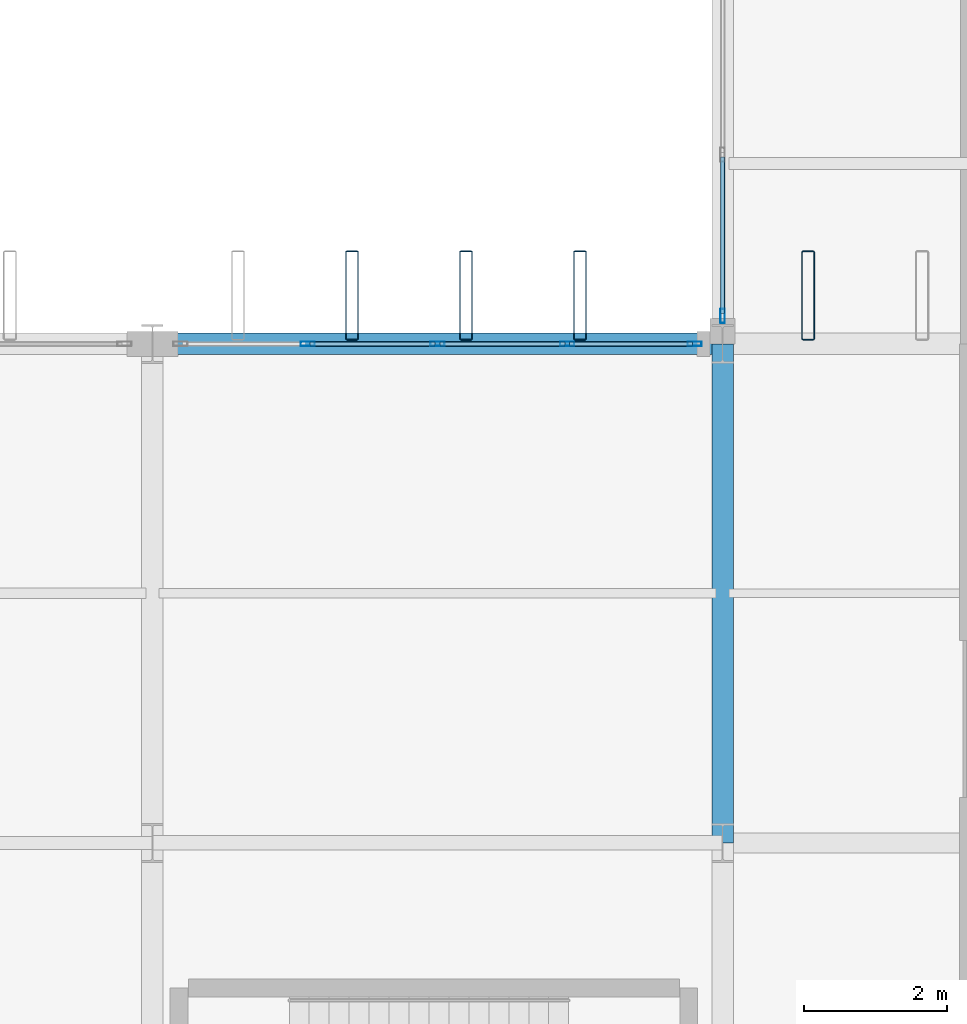
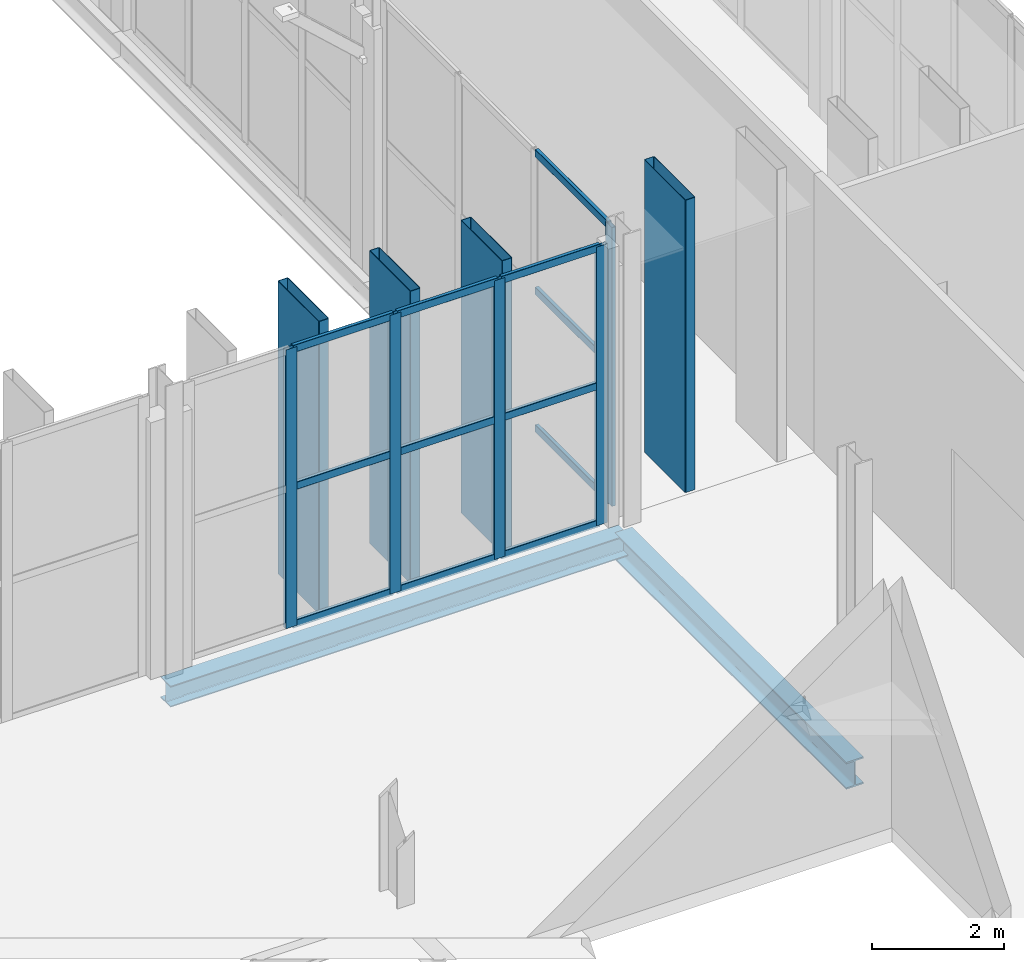
# One storey, part 54 of 147: 21 members, 2 beams, 2 elements without a shape of their own.
"""IFC4 building model written with IfcOpenShell, lengths in metres."""

from ifc_helpers import new_model, si_unit, direction, frame, origin, origin_2d, place, context, subcontext, project, spatial, hollow_rectangle, i_section, extrude, material, layer, layer_set, material_profile, profile_set, type_object, element, aggregate, save


model = new_model("IFC4")

# Units and contexts
model_context = context("Model", 3, precision=1e-05, world=origin(), true_north=direction((0.0, 1.0)))
body_context = subcontext(model_context, "Body", "Model", "MODEL_VIEW")
ifc_project = project(units=[si_unit("LENGTHUNIT", "METRE"), si_unit("AREAUNIT", "SQUARE_METRE"), si_unit("VOLUMEUNIT", "CUBIC_METRE"), si_unit("PLANEANGLEUNIT", "RADIAN"), si_unit("MASSUNIT", "GRAM", prefix="KILO")], contexts=[model_context])

# Site, building, storey
site_placement = place(None, origin())
site = spatial("IfcSite", under=ifc_project, at=site_placement, CompositionType="ELEMENT")
building_placement = place(site_placement, origin())
building = spatial("IfcBuilding", under=site, at=building_placement, Name="Vekula Escarpment Museum", CompositionType="ELEMENT")
storey_placement = place(building_placement, frame((0.0, 0.0, 7.800048828125)))
storey = spatial("IfcBuildingStorey", under=building, at=storey_placement, Name="L02", CompositionType="ELEMENT", Elevation=7.800048828125)

# Beams
ifc_material_1 = material(Name="Steel S355", Category="steel")
ifc_material_profile_1 = material_profile(ifc_material_1, i_section(OverallWidth=0.300048828125, OverallDepth=0.5, WebThickness=0.014404296875, FlangeThickness=0.028076171875, FilletRadius=0.027099609375, at=origin_2d()), Name="HEB 500")
ifc_profile_set_1 = profile_set([ifc_material_profile_1], Name="Steel S355")
beam_type_1 = type_object("IfcBeamType", Name="BM-GIRD-HEB500", PredefinedType="BEAM", material=ifc_profile_set_1)
beam_1_placement = place(storey_placement, frame((94.0, 83.39990234375, -0.510009765625), z_axis=(0.0, 1.0, 0.0), x_axis=(-1.0, 0.0, 0.0)))
element("IfcBeam", 1, at=beam_1_placement, inside=storey, type_object=beam_type_1, Name="Beam Y L02 1161", PredefinedType="BEAM", context=body_context, shape_type="SweptSolid", body=[
    extrude(i_section(OverallWidth=0.300048828125, OverallDepth=0.5, WebThickness=0.014404296875, FlangeThickness=0.028076171875, FilletRadius=0.027099609375, at=origin_2d()), origin(), (0.0, 0.0, 1.0), 7.0),
])
ifc_material_2 = material(Name="Steel S355", Category="steel")
ifc_material_profile_2 = material_profile(ifc_material_2, i_section(OverallWidth=0.300048828125, OverallDepth=0.389892578125, WebThickness=0.010986328125, FlangeThickness=0.01904296875, FilletRadius=0.027099609375, at=origin_2d()), Name="HEA 400")
ifc_profile_set_2 = profile_set([ifc_material_profile_2], Name="Steel S355")
beam_type_2 = type_object("IfcBeamType", Name="BM-SPAN-HEA400", PredefinedType="SPANDREL", material=ifc_profile_set_2)
beam_2_placement = place(storey_placement, frame((86.0, 90.39990234375, -0.455078125), z_axis=(1.0, 0.0, 0.0), x_axis=(0.0, 1.0, 0.0)))
element("IfcBeam", 2, at=beam_2_placement, inside=storey, type_object=beam_type_2, Name="Beam X L02 0952", PredefinedType="SPANDREL", context=body_context, shape_type="SweptSolid", body=[
    extrude(i_section(OverallWidth=0.300048828125, OverallDepth=0.389892578125, WebThickness=0.010986328125, FlangeThickness=0.01904296875, FilletRadius=0.027099609375, at=origin_2d()), origin(), (0.0, 0.0, 1.0), 8.0),
])

# Curtain wall, member
ifc_material_3 = material(Name="Aluminium thermally broken framing", Category="aluminium")
ifc_layer_1 = layer(ifc_material_3, 0.169921875)
ifc_layer_set_1 = layer_set([ifc_layer_1], Name="Aluminium thermally broken framing")
curtain_wall_type_1 = type_object("IfcCurtainWallType", Name="CW-SYS-10", PredefinedType="NOTDEFINED", material=ifc_layer_set_1)
curtain_wall_1_placement = place(storey_placement, origin())
curtain_wall_1 = element("IfcCurtainWall", 3, at=curtain_wall_1_placement, inside=storey, type_object=curtain_wall_type_1, Name="Curtain Wall CW-L02-090", PredefinedType="NOTDEFINED")
ifc_material_4 = material(Name="Aluminium anodized mullion", Category="aluminium")
ifc_material_profile_3 = material_profile(ifc_material_4, hollow_rectangle(XDim=0.06494140625, YDim=0.199951171875, WallThickness=0.00390625, InnerFilletRadius=0.00390625, OuterFilletRadius=0.008056640625, at=origin_2d()), Name="ALU 200x65x4")
ifc_profile_set_3 = profile_set([ifc_material_profile_3], Name="Aluminium anodized mullion")
member_type_1 = type_object("IfcMemberType", Name="CW-MUL-200", PredefinedType="MULLION", material=ifc_profile_set_3)
member_1_placement = place(storey_placement, frame((94.0, 90.79248046875, 0.0), z_axis=(0.0, 0.0, 1.0), x_axis=(1.0, 0.0, 0.0)))
member_1 = element("IfcMember", 4, at=member_1_placement, type_object=member_type_1, Name="CW-10 mullion 4", PredefinedType="MULLION", context=body_context, shape_type="SweptSolid", body=[
    extrude(hollow_rectangle(XDim=0.06494140625, YDim=0.199951171875, WallThickness=0.00390625, InnerFilletRadius=0.00390625, OuterFilletRadius=0.008056640625, at=origin_2d()), origin(), (0.0, 0.0, 1.0), 5.14990234375),
])

# Curtain wall, members
ifc_material_5 = material(Name="Aluminium thermally broken framing", Category="aluminium")
ifc_layer_2 = layer(ifc_material_5, 0.159912109375)
ifc_layer_set_2 = layer_set([ifc_layer_2], Name="Aluminium thermally broken framing")
curtain_wall_type_2 = type_object("IfcCurtainWallType", Name="CW-SYS-01", PredefinedType="NOTDEFINED", material=ifc_layer_set_2)
curtain_wall_2_placement = place(storey_placement, origin())
curtain_wall_2 = element("IfcCurtainWall", 5, at=curtain_wall_2_placement, inside=storey, type_object=curtain_wall_type_2, Name="Curtain Wall CW-L02-091", PredefinedType="NOTDEFINED")
member_2_placement = place(storey_placement, frame((93.607421875, 90.39990234375, 0.0), z_axis=(0.0, 0.0, 1.0), x_axis=(0.0, -1.0, 0.0)))
member_2 = element("IfcMember", 6, at=member_2_placement, type_object=member_type_1, Name="CW-01 mullion 1", PredefinedType="MULLION", context=body_context, shape_type="SweptSolid", body=[
    extrude(hollow_rectangle(XDim=0.06494140625, YDim=0.199951171875, WallThickness=0.00390625, InnerFilletRadius=0.00390625, OuterFilletRadius=0.008056640625, at=origin_2d()), origin(), (0.0, 0.0, 1.0), 5.14990234375),
])
member_3_placement = place(storey_placement, frame((91.820068359375, 90.39990234375, 0.0), z_axis=(0.0, 0.0, 1.0), x_axis=(0.0, -1.0, 0.0)))
member_3 = element("IfcMember", 7, at=member_3_placement, type_object=member_type_1, Name="CW-01 mullion 2", PredefinedType="MULLION", context=body_context, shape_type="SweptSolid", body=[
    extrude(hollow_rectangle(XDim=0.06494140625, YDim=0.199951171875, WallThickness=0.00390625, InnerFilletRadius=0.00390625, OuterFilletRadius=0.008056640625, at=origin_2d()), origin(), (0.0, 0.0, 1.0), 5.14990234375),
])
member_4_placement = place(storey_placement, frame((90.0, 90.39990234375, 0.0), z_axis=(0.0, 0.0, 1.0), x_axis=(0.0, -1.0, 0.0)))
member_4 = element("IfcMember", 8, at=member_4_placement, type_object=member_type_1, Name="CW-01 mullion 3", PredefinedType="MULLION", context=body_context, shape_type="SweptSolid", body=[
    extrude(hollow_rectangle(XDim=0.06494140625, YDim=0.199951171875, WallThickness=0.00390625, InnerFilletRadius=0.00390625, OuterFilletRadius=0.008056640625, at=origin_2d()), origin(), (0.0, 0.0, 1.0), 5.14990234375),
])
member_5_placement = place(storey_placement, frame((88.179931640625, 90.39990234375, 0.0), z_axis=(0.0, 0.0, 1.0), x_axis=(0.0, -1.0, 0.0)))
member_5 = element("IfcMember", 9, at=member_5_placement, type_object=member_type_1, Name="CW-01 mullion 4", PredefinedType="MULLION", context=body_context, shape_type="SweptSolid", body=[
    extrude(hollow_rectangle(XDim=0.06494140625, YDim=0.199951171875, WallThickness=0.00390625, InnerFilletRadius=0.00390625, OuterFilletRadius=0.008056640625, at=origin_2d()), origin(), (0.0, 0.0, 1.0), 5.14990234375),
])

# Member
ifc_material_6 = material(Name="Aluminium anodized transom", Category="aluminium")
ifc_material_profile_4 = material_profile(ifc_material_6, hollow_rectangle(XDim=0.06494140625, YDim=0.139892578125, WallThickness=0.00390625, InnerFilletRadius=0.00390625, OuterFilletRadius=0.008056640625, at=origin_2d()), Name="ALU 140x65x4")
ifc_profile_set_4 = profile_set([ifc_material_profile_4], Name="Aluminium anodized transom")
member_type_2 = type_object("IfcMemberType", Name="CW-TRN-140", PredefinedType="USERDEFINED", material=ifc_profile_set_4)
member_6_placement = place(storey_placement, frame((94.0, 93.020751953125, 0.032470703125), z_axis=(0.0, -1.0, 0.0), x_axis=(1.0, 0.0, 0.0)))
member_6 = element("IfcMember", 10, at=member_6_placement, type_object=member_type_2, Name="CW-10 transom 3.1", ObjectType="TRANSOM", PredefinedType="USERDEFINED", context=body_context, shape_type="SweptSolid", body=[
    extrude(hollow_rectangle(XDim=0.06494140625, YDim=0.139892578125, WallThickness=0.00390625, InnerFilletRadius=0.00390625, OuterFilletRadius=0.008056640625, at=origin_2d()), origin(), (0.0, 0.0, 1.0), 2.19580078125),
])

member_7_placement = place(storey_placement, frame((94.0, 93.020751953125, 2.574951171875), z_axis=(0.0, -1.0, 0.0), x_axis=(1.0, 0.0, 0.0)))
member_7 = element("IfcMember", 11, at=member_7_placement, type_object=member_type_2, Name="CW-10 transom 3.2", ObjectType="TRANSOM", PredefinedType="USERDEFINED", context=body_context, shape_type="SweptSolid", body=[
    extrude(hollow_rectangle(XDim=0.06494140625, YDim=0.139892578125, WallThickness=0.00390625, InnerFilletRadius=0.00390625, OuterFilletRadius=0.008056640625, at=origin_2d()), origin(), (0.0, 0.0, 1.0), 2.19580078125),
])

member_8_placement = place(storey_placement, frame((94.0, 93.020751953125, 5.117431640625), z_axis=(0.0, -1.0, 0.0), x_axis=(1.0, 0.0, 0.0)))
member_8 = element("IfcMember", 12, at=member_8_placement, type_object=member_type_2, Name="CW-10 transom 3.3", ObjectType="TRANSOM", PredefinedType="USERDEFINED", context=body_context, shape_type="SweptSolid", body=[
    extrude(hollow_rectangle(XDim=0.06494140625, YDim=0.139892578125, WallThickness=0.00390625, InnerFilletRadius=0.00390625, OuterFilletRadius=0.008056640625, at=origin_2d()), origin(), (0.0, 0.0, 1.0), 2.19580078125),
])

aggregate(curtain_wall_1, [member_1, member_6, member_7, member_8])

member_9_placement = place(storey_placement, frame((93.574951171875, 90.39990234375, 0.032470703125), z_axis=(-1.0, 0.0, 0.0), x_axis=(0.0, -1.0, 0.0)))
member_9 = element("IfcMember", 13, at=member_9_placement, type_object=member_type_2, Name="CW-01 transom 1.1", ObjectType="TRANSOM", PredefinedType="USERDEFINED", context=body_context, shape_type="SweptSolid", body=[
    extrude(hollow_rectangle(XDim=0.06494140625, YDim=0.139892578125, WallThickness=0.00390625, InnerFilletRadius=0.00390625, OuterFilletRadius=0.008056640625, at=origin_2d()), origin(), (0.0, 0.0, 1.0), 1.722412109375),
])

member_10_placement = place(storey_placement, frame((93.574951171875, 90.39990234375, 2.574951171875), z_axis=(-1.0, 0.0, 0.0), x_axis=(0.0, -1.0, 0.0)))
member_10 = element("IfcMember", 14, at=member_10_placement, type_object=member_type_2, Name="CW-01 transom 1.2", ObjectType="TRANSOM", PredefinedType="USERDEFINED", context=body_context, shape_type="SweptSolid", body=[
    extrude(hollow_rectangle(XDim=0.06494140625, YDim=0.139892578125, WallThickness=0.00390625, InnerFilletRadius=0.00390625, OuterFilletRadius=0.008056640625, at=origin_2d()), origin(), (0.0, 0.0, 1.0), 1.722412109375),
])

member_11_placement = place(storey_placement, frame((93.574951171875, 90.39990234375, 5.117431640625), z_axis=(-1.0, 0.0, 0.0), x_axis=(0.0, -1.0, 0.0)))
member_11 = element("IfcMember", 15, at=member_11_placement, type_object=member_type_2, Name="CW-01 transom 1.3", ObjectType="TRANSOM", PredefinedType="USERDEFINED", context=body_context, shape_type="SweptSolid", body=[
    extrude(hollow_rectangle(XDim=0.06494140625, YDim=0.139892578125, WallThickness=0.00390625, InnerFilletRadius=0.00390625, OuterFilletRadius=0.008056640625, at=origin_2d()), origin(), (0.0, 0.0, 1.0), 1.722412109375),
])

member_12_placement = place(storey_placement, frame((91.78759765625, 90.39990234375, 0.032470703125), z_axis=(-1.0, 0.0, 0.0), x_axis=(0.0, -1.0, 0.0)))
member_12 = element("IfcMember", 16, at=member_12_placement, type_object=member_type_2, Name="CW-01 transom 2.1", ObjectType="TRANSOM", PredefinedType="USERDEFINED", context=body_context, shape_type="SweptSolid", body=[
    extrude(hollow_rectangle(XDim=0.06494140625, YDim=0.139892578125, WallThickness=0.00390625, InnerFilletRadius=0.00390625, OuterFilletRadius=0.008056640625, at=origin_2d()), origin(), (0.0, 0.0, 1.0), 1.755126953125),
])

member_13_placement = place(storey_placement, frame((91.78759765625, 90.39990234375, 2.574951171875), z_axis=(-1.0, 0.0, 0.0), x_axis=(0.0, -1.0, 0.0)))
member_13 = element("IfcMember", 17, at=member_13_placement, type_object=member_type_2, Name="CW-01 transom 2.2", ObjectType="TRANSOM", PredefinedType="USERDEFINED", context=body_context, shape_type="SweptSolid", body=[
    extrude(hollow_rectangle(XDim=0.06494140625, YDim=0.139892578125, WallThickness=0.00390625, InnerFilletRadius=0.00390625, OuterFilletRadius=0.008056640625, at=origin_2d()), origin(), (0.0, 0.0, 1.0), 1.755126953125),
])

member_14_placement = place(storey_placement, frame((91.78759765625, 90.39990234375, 5.117431640625), z_axis=(-1.0, 0.0, 0.0), x_axis=(0.0, -1.0, 0.0)))
member_14 = element("IfcMember", 18, at=member_14_placement, type_object=member_type_2, Name="CW-01 transom 2.3", ObjectType="TRANSOM", PredefinedType="USERDEFINED", context=body_context, shape_type="SweptSolid", body=[
    extrude(hollow_rectangle(XDim=0.06494140625, YDim=0.139892578125, WallThickness=0.00390625, InnerFilletRadius=0.00390625, OuterFilletRadius=0.008056640625, at=origin_2d()), origin(), (0.0, 0.0, 1.0), 1.755126953125),
])

member_15_placement = place(storey_placement, frame((89.967529296875, 90.39990234375, 0.032470703125), z_axis=(-1.0, 0.0, 0.0), x_axis=(0.0, -1.0, 0.0)))
member_15 = element("IfcMember", 19, at=member_15_placement, type_object=member_type_2, Name="CW-01 transom 3.1", ObjectType="TRANSOM", PredefinedType="USERDEFINED", context=body_context, shape_type="SweptSolid", body=[
    extrude(hollow_rectangle(XDim=0.06494140625, YDim=0.139892578125, WallThickness=0.00390625, InnerFilletRadius=0.00390625, OuterFilletRadius=0.008056640625, at=origin_2d()), origin(), (0.0, 0.0, 1.0), 1.755126953125),
])

member_16_placement = place(storey_placement, frame((89.967529296875, 90.39990234375, 2.574951171875), z_axis=(-1.0, 0.0, 0.0), x_axis=(0.0, -1.0, 0.0)))
member_16 = element("IfcMember", 20, at=member_16_placement, type_object=member_type_2, Name="CW-01 transom 3.2", ObjectType="TRANSOM", PredefinedType="USERDEFINED", context=body_context, shape_type="SweptSolid", body=[
    extrude(hollow_rectangle(XDim=0.06494140625, YDim=0.139892578125, WallThickness=0.00390625, InnerFilletRadius=0.00390625, OuterFilletRadius=0.008056640625, at=origin_2d()), origin(), (0.0, 0.0, 1.0), 1.755126953125),
])

member_17_placement = place(storey_placement, frame((89.967529296875, 90.39990234375, 5.117431640625), z_axis=(-1.0, 0.0, 0.0), x_axis=(0.0, -1.0, 0.0)))
member_17 = element("IfcMember", 21, at=member_17_placement, type_object=member_type_2, Name="CW-01 transom 3.3", ObjectType="TRANSOM", PredefinedType="USERDEFINED", context=body_context, shape_type="SweptSolid", body=[
    extrude(hollow_rectangle(XDim=0.06494140625, YDim=0.139892578125, WallThickness=0.00390625, InnerFilletRadius=0.00390625, OuterFilletRadius=0.008056640625, at=origin_2d()), origin(), (0.0, 0.0, 1.0), 1.755126953125),
])

aggregate(curtain_wall_2, [member_2, member_3, member_4, member_5, member_9, member_10, member_11, member_12, member_13, member_14, member_15, member_16, member_17])

# Members
ifc_material_7 = material(Name="Steel S355 weathered bronze solar fin", Category="steel")
ifc_material_profile_5 = material_profile(ifc_material_7, hollow_rectangle(XDim=0.179931640625, YDim=1.25, WallThickness=0.010009765625, InnerFilletRadius=0.010009765625, OuterFilletRadius=0.02001953125, at=origin_2d()), Name="RHS 1250x180x10")
ifc_profile_set_5 = profile_set([ifc_material_profile_5], Name="Steel S355 weathered bronze solar fin")
member_type_3 = type_object("IfcMemberType", Name="MB-SOLAR-FIN", PredefinedType="USERDEFINED", material=ifc_profile_set_5)
for number, where, z_axis, x_axis, name in (
    (22, (88.800048828125, 91.080078125, 0.0), (0.0, 0.0, 1.0), (1.0, 0.0, 0.0), "Great Hall Vertical Solar Fin 0182"),
    (23, (90.39990234375, 91.080078125, 0.0), (0.0, 0.0, 1.0), (1.0, 0.0, 0.0), "Great Hall Vertical Solar Fin 0187"),
    (24, (92.0, 91.080078125, 0.0), (0.0, 0.0, 1.0), (1.0, 0.0, 0.0), "Great Hall Vertical Solar Fin 0192"),
    (25, (95.199951171875, 91.080078125, 0.0), (0.0, 0.0, 1.0), (1.0, 0.0, 0.0), "Great Hall Vertical Solar Fin 0197"),
):
    element("IfcMember", number, at=place(storey_placement, frame(where, z_axis=z_axis, x_axis=x_axis)), inside=storey, type_object=member_type_3, Name=name, ObjectType="SOLAR FIN", PredefinedType="USERDEFINED", context=body_context, shape_type="SweptSolid", body=[
        extrude(hollow_rectangle(XDim=0.179931640625, YDim=1.25, WallThickness=0.010009765625, InnerFilletRadius=0.010009765625, OuterFilletRadius=0.02001953125, at=origin_2d()), origin(), (0.0, 0.0, 1.0), 5.39990234375),
    ])

save(model, "model.ifc")
